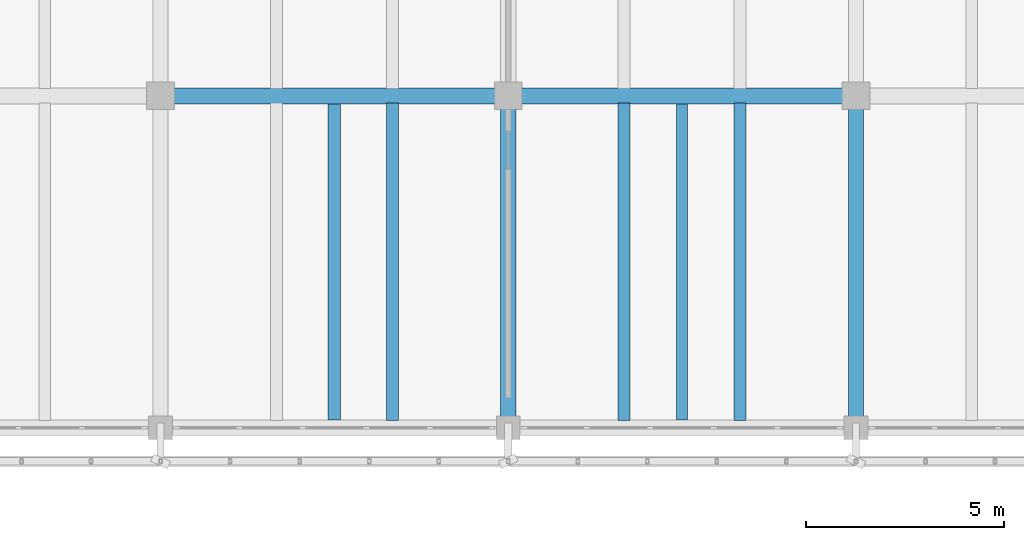
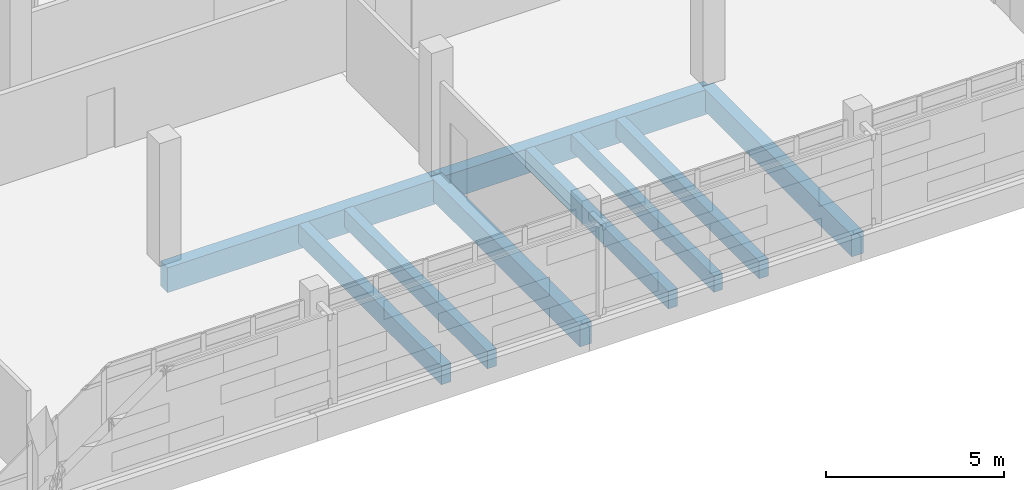
# One storey, part 58 of 137: 9 beams.
"""IFC4 building model written with IfcOpenShell, lengths in metres."""

from ifc_helpers import new_model, si_unit, direction, frame, origin, origin_2d, place, context, subcontext, project, spatial, rectangle, extrude, material, material_profile, profile_set, type_object, element, save


model = new_model("IFC4")

# Units and contexts
model_context = context("Model", 3, precision=1e-05, world=origin(), true_north=direction((0.0, 1.0)))
body_context = subcontext(model_context, "Body", "Model", "MODEL_VIEW")
ifc_project = project(units=[si_unit("LENGTHUNIT", "METRE"), si_unit("AREAUNIT", "SQUARE_METRE"), si_unit("VOLUMEUNIT", "CUBIC_METRE"), si_unit("PLANEANGLEUNIT", "RADIAN"), si_unit("MASSUNIT", "GRAM", prefix="KILO")], contexts=[model_context])

# Site, building, storey
site_placement = place(None, origin())
site = spatial("IfcSite", under=ifc_project, at=site_placement, CompositionType="ELEMENT")
building_placement = place(site_placement, origin())
building = spatial("IfcBuilding", under=site, at=building_placement, Name="Cinderway Yard Community Centre", CompositionType="ELEMENT")
storey_placement = place(building_placement, frame((0.0, 0.0, 4.800048828125)))
storey = spatial("IfcBuildingStorey", under=building, at=storey_placement, Name="L01", CompositionType="ELEMENT", Elevation=4.800048828125)

# Beams
ifc_material_1 = material(Name="Concrete C35/45", Category="concrete")
ifc_material_profile_1 = material_profile(ifc_material_1, rectangle(XDim=0.280029296875, YDim=0.56005859375, at=origin_2d()), Name="Concrete C35/45")
ifc_profile_set_1 = profile_set([ifc_material_profile_1], Name="Concrete C35/45")
beam_type_1 = type_object("IfcBeamType", Name="STR-BM-RC280X560", PredefinedType="JOIST", material=ifc_profile_set_1)
beam_1_placement = place(storey_placement, frame((97.199951171875, 90.199951171875, -0.5400390625), z_axis=(0.0, 1.0, 0.0), x_axis=(-1.0, 0.0, 0.0)))
element("IfcBeam", 1, at=beam_1_placement, inside=storey, type_object=beam_type_1, Name="Mid-bay secondary beam STR-BM-L01-BJ05-1168", PredefinedType="JOIST", context=body_context, shape_type="SweptSolid", body=[
    extrude(rectangle(XDim=0.280029296875, YDim=0.56005859375, at=origin_2d()), origin(), (0.0, 0.0, 1.0), 8.0),
])
ifc_material_profile_2 = material_profile(ifc_material_1, rectangle(XDim=0.300048828125, YDim=0.60009765625, at=origin_2d()), Name="Concrete C35/45")
ifc_profile_set_2 = profile_set([ifc_material_profile_2], Name="Concrete C35/45")
beam_type_2 = type_object("IfcBeamType", Name="STR-BM-RC300X600", PredefinedType="JOIST", material=ifc_profile_set_2)
for number, where, z_axis, x_axis, name in (
    (2, (89.866943359375, 90.181884765625, -0.56005859375), (0.0, 1.0, 0.0), (-1.0, 0.0, 0.0), "Secondary joist STR-BM-L01-BJ02-0286"),
    (3, (95.73291015625, 90.181884765625, -0.56005859375), (0.0, 1.0, 0.0), (-1.0, 0.0, 0.0), "Secondary joist STR-BM-L01-BJ02-0291"),
    (4, (98.6669921875, 90.181884765625, -0.56005859375), (0.0, 1.0, 0.0), (-1.0, 0.0, 0.0), "Secondary joist STR-BM-L01-BJ02-0292"),
):
    element("IfcBeam", number, at=place(storey_placement, frame(where, z_axis=z_axis, x_axis=x_axis)), inside=storey, type_object=beam_type_2, Name=name, PredefinedType="JOIST", context=body_context, shape_type="SweptSolid", body=[
        extrude(rectangle(XDim=0.300048828125, YDim=0.60009765625, at=origin_2d()), origin(), (0.0, 0.0, 1.0), 8.0361328125),
    ])
ifc_material_profile_3 = material_profile(ifc_material_1, rectangle(XDim=0.320068359375, YDim=0.639892578125, at=origin_2d()), Name="Concrete C35/45")
ifc_profile_set_3 = profile_set([ifc_material_profile_3], Name="Concrete C35/45")
beam_type_3 = type_object("IfcBeamType", Name="STR-BM-RC320X640", PredefinedType="BEAM", material=ifc_profile_set_3)
beam_2_placement = place(storey_placement, frame((88.39990234375, 90.199951171875, -0.580078125), z_axis=(0.0, 1.0, 0.0), x_axis=(-1.0, 0.0, 0.0)))
element("IfcBeam", 5, at=beam_2_placement, inside=storey, type_object=beam_type_3, Name="Mid-bay secondary beam STR-BM-L01-BG11-1167", PredefinedType="BEAM", context=body_context, shape_type="SweptSolid", body=[
    extrude(rectangle(XDim=0.320068359375, YDim=0.639892578125, at=origin_2d()), origin(), (0.0, 0.0, 1.0), 8.0),
])
ifc_material_profile_4 = material_profile(ifc_material_1, rectangle(XDim=0.3798828125, YDim=0.75, at=origin_2d()), Name="Concrete C35/45")
ifc_profile_set_4 = profile_set([ifc_material_profile_4], Name="Concrete C35/45")
beam_type_4 = type_object("IfcBeamType", Name="STR-BM-RC380X750", PredefinedType="BEAM", material=ifc_profile_set_4)
for number, where, z_axis, x_axis, name in (
    (6, (92.800048828125, 90.0, -0.635009765625), (0.0, 1.0, 0.0), (-1.0, 0.0, 0.0), "Transverse girder STR-BM-L01-BG06-0238"),
    (7, (101.60009765625, 90.0, -0.635009765625), (0.0, 1.0, 0.0), (-1.0, 0.0, 0.0), "Transverse girder STR-BM-L01-BG06-0241"),
):
    element("IfcBeam", number, at=place(storey_placement, frame(where, z_axis=z_axis, x_axis=x_axis)), inside=storey, type_object=beam_type_4, Name=name, PredefinedType="BEAM", context=body_context, shape_type="SweptSolid", body=[
        extrude(rectangle(XDim=0.3798828125, YDim=0.75, at=origin_2d()), origin(), (0.0, 0.0, 1.0), 8.39990234375),
    ])
ifc_material_2 = material(Name="Concrete C40/50", Category="concrete")
ifc_material_profile_5 = material_profile(ifc_material_2, rectangle(XDim=0.39990234375, YDim=0.85009765625, at=origin_2d()), Name="Concrete C40/50")
ifc_profile_set_5 = profile_set([ifc_material_profile_5], Name="Concrete C40/50")
beam_type_5 = type_object("IfcBeamType", Name="STR-BM-RC400X850", PredefinedType="BEAM", material=ifc_profile_set_5)
for number, where, z_axis, x_axis, name in (
    (8, (84.0, 98.39990234375, -0.68505859375), (1.0, 0.0, 0.0), (0.0, 1.0, 0.0), "Primary girder STR-BM-L01-BG04-0189"),
    (9, (92.800048828125, 98.39990234375, -0.68505859375), (1.0, 0.0, 0.0), (0.0, 1.0, 0.0), "Primary girder STR-BM-L01-BG04-0190"),
):
    element("IfcBeam", number, at=place(storey_placement, frame(where, z_axis=z_axis, x_axis=x_axis)), inside=storey, type_object=beam_type_5, Name=name, PredefinedType="BEAM", context=body_context, shape_type="SweptSolid", body=[
        extrude(rectangle(XDim=0.39990234375, YDim=0.85009765625, at=origin_2d()), origin(), (0.0, 0.0, 1.0), 8.800048828125),
    ])

save(model, "model.ifc")
